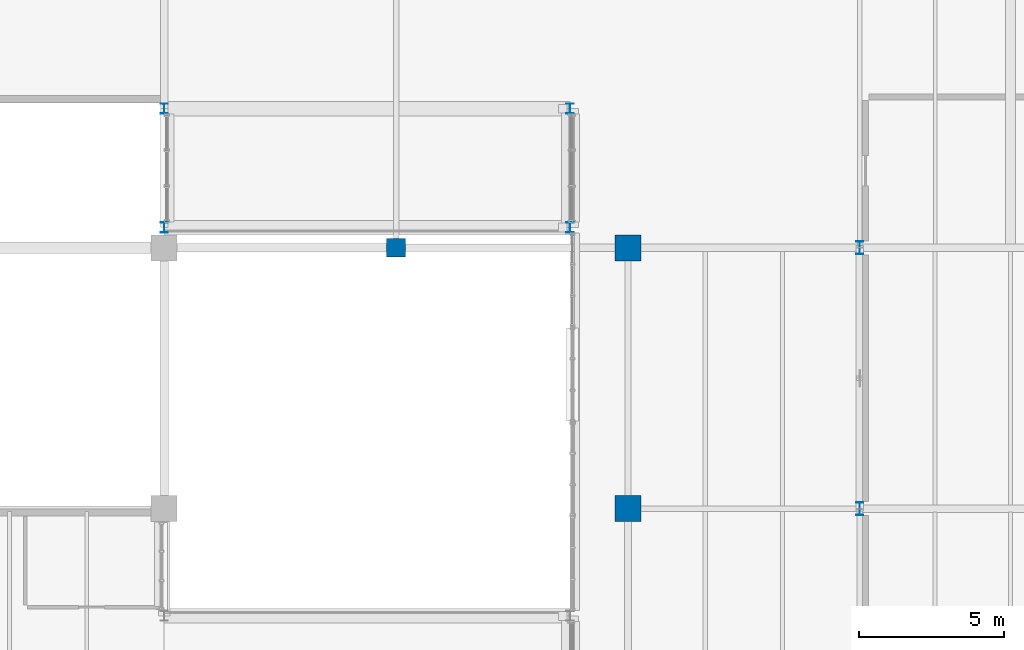
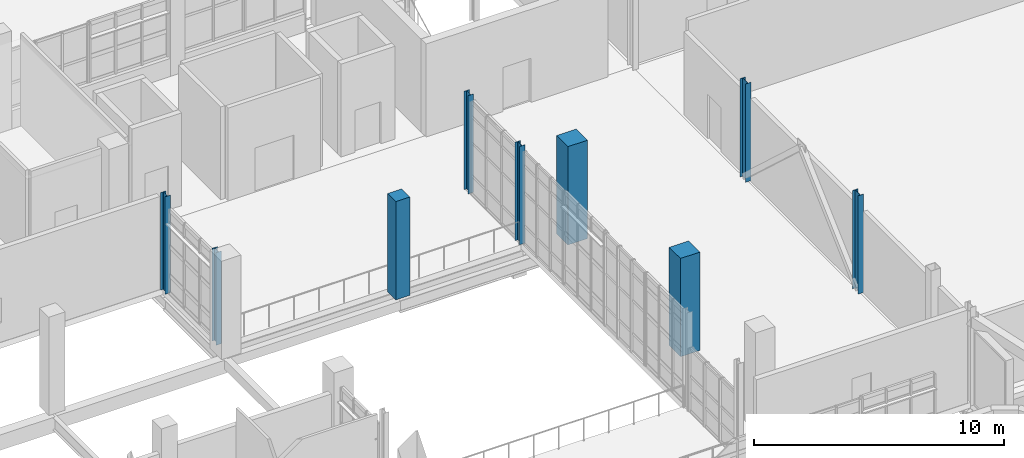
# One storey, part 5 of 127: 9 columns.
"""IFC4 building model written with IfcOpenShell, lengths in metres."""

from ifc_helpers import new_model, si_unit, derived_unit, direction, frame, origin, origin_2d, place, context, subcontext, project, spatial, rectangle, i_section, extrude, material, material_profile, profile_set, type_object, element, save


model = new_model("IFC4")

# Units and contexts
model_context = context("Model", 3, precision=1e-05, world=origin(), true_north=direction((0.0, 1.0)))
body_context = subcontext(model_context, "Body", "Model", "MODEL_VIEW")
ifc_project = project(units=[si_unit("LENGTHUNIT", "METRE"), si_unit("AREAUNIT", "SQUARE_METRE"), si_unit("VOLUMEUNIT", "CUBIC_METRE"), si_unit("PLANEANGLEUNIT", "RADIAN"), si_unit("MASSUNIT", "GRAM", prefix="KILO"), derived_unit("THERMALTRANSMITTANCEUNIT", [(si_unit("POWERUNIT", "WATT"), 1), (si_unit("LENGTHUNIT", "METRE"), -2), (si_unit("THERMODYNAMICTEMPERATUREUNIT", "KELVIN"), -1)])], contexts=[model_context])

# Site, building, storey
site_placement = place(None, origin())
site = spatial("IfcSite", under=ifc_project, at=site_placement, CompositionType="ELEMENT")
building_placement = place(site_placement, origin())
building = spatial("IfcBuilding", under=site, at=building_placement, Name="Nallur Shell Playhouse", CompositionType="ELEMENT")
storey_placement = place(building_placement, frame((0.0, 0.0, 5.39990234375)))
storey = spatial("IfcBuildingStorey", under=building, at=storey_placement, Name="L02", CompositionType="ELEMENT", Elevation=5.39990234375)

# Columns
ifc_material_1 = material(Name="Concrete M35", Category="concrete")
ifc_material_profile_1 = material_profile(ifc_material_1, rectangle(XDim=0.64990234375, YDim=0.64990234375, at=origin_2d()), Name="RC 650x650")
ifc_profile_set_1 = profile_set([ifc_material_profile_1], Name="Concrete M35")
column_type_1 = type_object("IfcColumnType", Name="CL-RC-650", PredefinedType="COLUMN", material=ifc_profile_set_1)
column_1_placement = place(storey_placement, frame((48.0, 65.0, 0.0), z_axis=(0.0, 0.0, 1.0), x_axis=(1.0, 0.0, 0.0)))
element("IfcColumn", 1, at=column_1_placement, inside=storey, type_object=column_type_1, Name="Column 6-H (L02)", PredefinedType="COLUMN", context=body_context, shape_type="SweptSolid", body=[
    extrude(rectangle(XDim=0.64990234375, YDim=0.64990234375, at=origin_2d()), origin(), (0.0, 0.0, 1.0), 4.800048828125),
])
ifc_material_2 = material(Name="Concrete M40", Category="concrete")
ifc_material_profile_2 = material_profile(ifc_material_2, rectangle(XDim=0.89990234375, YDim=0.89990234375, at=origin_2d()), Name="RC 900x900")
ifc_profile_set_2 = profile_set([ifc_material_profile_2], Name="Concrete M40")
column_type_2 = type_object("IfcColumnType", Name="CL-RC-900", PredefinedType="COLUMN", material=ifc_profile_set_2)
for number, where, z_axis, x_axis, name in (
    (2, (56.0, 56.0, 0.0), (0.0, 0.0, 1.0), (1.0, 0.0, 0.0), "Column 7-G (L02)"),
    (3, (56.0, 65.0, 0.0), (0.0, 0.0, 1.0), (1.0, 0.0, 0.0), "Column 7-H (L02)"),
):
    element("IfcColumn", number, at=place(storey_placement, frame(where, z_axis=z_axis, x_axis=x_axis)), inside=storey, type_object=column_type_2, Name=name, PredefinedType="COLUMN", context=body_context, shape_type="SweptSolid", body=[
        extrude(rectangle(XDim=0.89990234375, YDim=0.89990234375, at=origin_2d()), origin(), (0.0, 0.0, 1.0), 4.800048828125),
    ])
ifc_material_3 = material(Name="Steel E350", Category="steel")
ifc_material_profile_3 = material_profile(ifc_material_3, i_section(OverallWidth=0.25, OverallDepth=0.35009765625, WebThickness=0.010009765625, FlangeThickness=0.01171875, FilletRadius=0.011962890625, at=origin_2d()), Name="ISHB 350")
ifc_profile_set_3 = profile_set([ifc_material_profile_3], Name="Steel E350")
column_type_3 = type_object("IfcColumnType", Name="CL-ST-ISHB350", PredefinedType="COLUMN", material=ifc_profile_set_3)
column_2_placement = place(storey_placement, frame((40.0, 65.699951171875, 0.0), z_axis=(0.0, 0.0, 1.0), x_axis=(1.0, 0.0, 0.0)))
element("IfcColumn", 4, at=column_2_placement, inside=storey, type_object=column_type_3, Name="Column BRCOL-5 (L02)", PredefinedType="COLUMN", context=body_context, shape_type="SweptSolid", body=[
    extrude(i_section(OverallWidth=0.25, OverallDepth=0.35009765625, WebThickness=0.010009765625, FlangeThickness=0.01171875, FilletRadius=0.011962890625, at=origin_2d()), origin(), (0.0, 0.0, 1.0), 4.52001953125),
])
column_3_placement = place(storey_placement, frame((54.0, 65.699951171875, 0.0), z_axis=(0.0, 0.0, 1.0), x_axis=(1.0, 0.0, 0.0)))
element("IfcColumn", 5, at=column_3_placement, inside=storey, type_object=column_type_3, Name="Column BRCOL-6 (L02)", PredefinedType="COLUMN", context=body_context, shape_type="SweptSolid", body=[
    extrude(i_section(OverallWidth=0.25, OverallDepth=0.35009765625, WebThickness=0.010009765625, FlangeThickness=0.01171875, FilletRadius=0.011962890625, at=origin_2d()), origin(), (0.0, 0.0, 1.0), 4.800048828125),
])
column_4_placement = place(storey_placement, frame((40.0, 69.800048828125, 0.0), z_axis=(0.0, 0.0, 1.0), x_axis=(1.0, 0.0, 0.0)))
element("IfcColumn", 6, at=column_4_placement, inside=storey, type_object=column_type_3, Name="Column BRCOL-7 (L02)", PredefinedType="COLUMN", context=body_context, shape_type="SweptSolid", body=[
    extrude(i_section(OverallWidth=0.25, OverallDepth=0.35009765625, WebThickness=0.010009765625, FlangeThickness=0.01171875, FilletRadius=0.011962890625, at=origin_2d()), origin(), (0.0, 0.0, 1.0), 4.760009765625),
])
column_5_placement = place(storey_placement, frame((54.0, 69.800048828125, 0.0), z_axis=(0.0, 0.0, 1.0), x_axis=(1.0, 0.0, 0.0)))
element("IfcColumn", 7, at=column_5_placement, inside=storey, type_object=column_type_3, Name="Column BRCOL-8 (L02)", PredefinedType="COLUMN", context=body_context, shape_type="SweptSolid", body=[
    extrude(i_section(OverallWidth=0.25, OverallDepth=0.35009765625, WebThickness=0.010009765625, FlangeThickness=0.01171875, FilletRadius=0.011962890625, at=origin_2d()), origin(), (0.0, 0.0, 1.0), 4.800048828125),
])
ifc_material_profile_4 = material_profile(ifc_material_3, i_section(OverallWidth=0.25, OverallDepth=0.449951171875, WebThickness=0.01123046875, FlangeThickness=0.013671875, FilletRadius=0.014892578125, at=origin_2d()), Name="ISHB 450")
ifc_profile_set_4 = profile_set([ifc_material_profile_4], Name="Steel E350")
column_type_4 = type_object("IfcColumnType", Name="CL-ST-ISHB450", PredefinedType="COLUMN", material=ifc_profile_set_4)
for number, where, z_axis, x_axis, name in (
    (8, (64.0, 56.0, 0.0), (0.0, 0.0, 1.0), (1.0, 0.0, 0.0), "Column 8-G (L02)"),
    (9, (64.0, 65.0, 0.0), (0.0, 0.0, 1.0), (1.0, 0.0, 0.0), "Column 8-H (L02)"),
):
    element("IfcColumn", number, at=place(storey_placement, frame(where, z_axis=z_axis, x_axis=x_axis)), inside=storey, type_object=column_type_4, Name=name, PredefinedType="COLUMN", context=body_context, shape_type="SweptSolid", body=[
        extrude(i_section(OverallWidth=0.25, OverallDepth=0.449951171875, WebThickness=0.01123046875, FlangeThickness=0.013671875, FilletRadius=0.014892578125, at=origin_2d()), origin(), (0.0, 0.0, 1.0), 4.800048828125),
    ])

save(model, "model.ifc")
